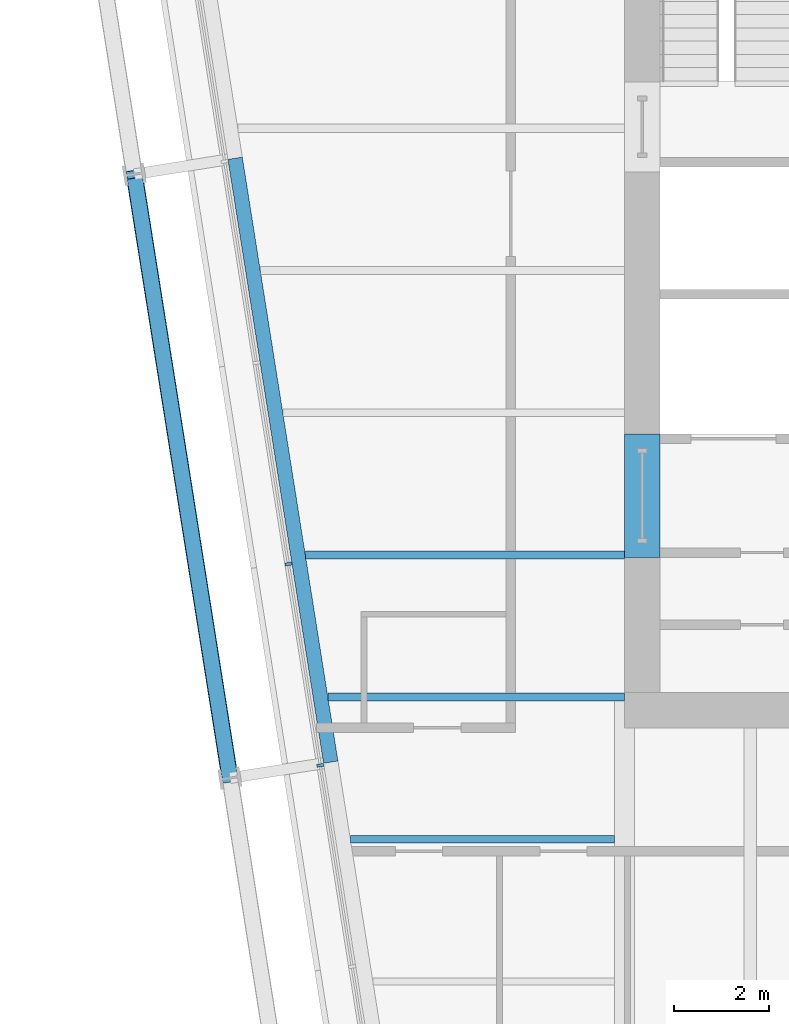
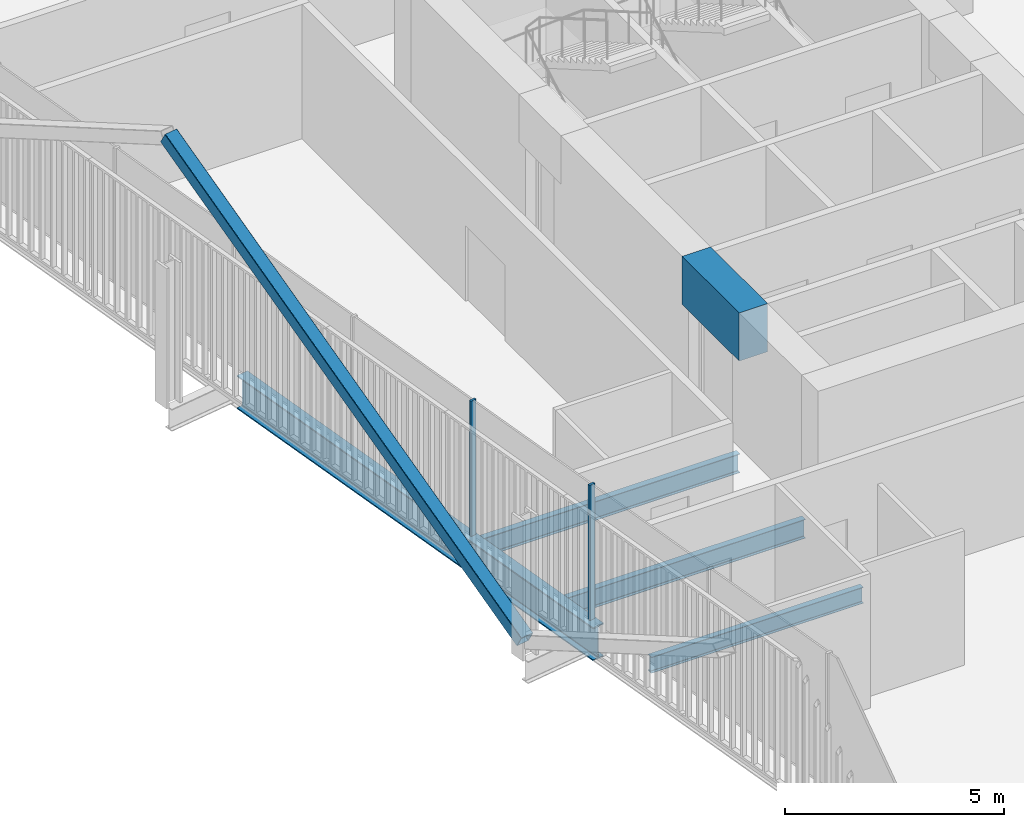
# One storey, part 4 of 22: 5 beams, 3 members, 1 element without a shape of its own.
"""IFC4 building model written with IfcOpenShell, lengths in metres."""

from ifc_helpers import new_model, si_unit, direction, frame, origin, origin_2d, place, context, subcontext, project, spatial, rectangle, hollow_rectangle, i_section, extrude, material, layer, layer_set, material_profile, profile_set, type_object, element, aggregate, save


model = new_model("IFC4")

# Units and contexts
model_context = context("Model", 3, precision=1e-05, world=origin(), true_north=direction((0.0, 1.0)))
body_context = subcontext(model_context, "Body", "Model", "MODEL_VIEW")
ifc_project = project(units=[si_unit("LENGTHUNIT", "METRE"), si_unit("AREAUNIT", "SQUARE_METRE"), si_unit("VOLUMEUNIT", "CUBIC_METRE"), si_unit("PLANEANGLEUNIT", "RADIAN"), si_unit("MASSUNIT", "GRAM", prefix="KILO")], contexts=[model_context])

# Site, building, storey
site_placement = place(None, origin())
site = spatial("IfcSite", under=ifc_project, at=site_placement, CompositionType="ELEMENT")
building_placement = place(site_placement, origin())
building = spatial("IfcBuilding", under=site, at=building_placement, Name="Millrace Tower", CompositionType="ELEMENT")
storey_placement = place(building_placement, frame((0.0, 0.0, 152.89990234375)))
storey = spatial("IfcBuildingStorey", under=building, at=storey_placement, Name="L34", CompositionType="ELEMENT", Elevation=152.89990234375)

# Curtain wall, members
ifc_material_1 = material(Name="Aluminium and glass", Category="aluminium")
ifc_layer = layer(ifc_material_1, 0.14990234375)
ifc_layer_set = layer_set([ifc_layer], Name="Aluminium and glass")
curtain_wall_type = type_object("IfcCurtainWallType", Name="CW-1 office vision curtain wall", PredefinedType="NOTDEFINED", material=ifc_layer_set)
curtain_wall_placement = place(storey_placement, origin())
curtain_wall = element("IfcCurtainWall", 1, at=curtain_wall_placement, inside=storey, type_object=curtain_wall_type, Name="Curtain wall C-F08 L34", PredefinedType="NOTDEFINED")
ifc_material_2 = material(Name="Aluminium", Category="aluminium")
ifc_material_profile_1 = material_profile(ifc_material_2, rectangle(XDim=0.06494140625, YDim=0.14990234375, at=origin_2d()))
ifc_profile_set_1 = profile_set([ifc_material_profile_1], Name="Aluminium")
member_type_1 = type_object("IfcMemberType", Name="CW-1 office vision curtain wall mullion", PredefinedType="MULLION", material=ifc_profile_set_1)
member_1_placement = place(storey_placement, frame((-21.743408203125, -6.193603515625, 0.14013671875), z_axis=(0.0, 0.0, 1.0), x_axis=(0.15643447328, -0.98768833929, 0.0)))
member_1 = element("IfcMember", 2, at=member_1_placement, type_object=member_type_1, Name="CW1 mullion C-F08.6", PredefinedType="MULLION", context=body_context, shape_type="SweptSolid", body=[
    extrude(rectangle(XDim=0.06494140625, YDim=0.14990234375, at=origin_2d()), origin(), (0.0, 0.0, 1.0), 3.760009765625),
])
member_2_placement = place(storey_placement, frame((-21.070556640625, -10.440673828125, 0.14013671875), z_axis=(0.0, 0.0, 1.0), x_axis=(0.15643447328, -0.98768833929, 0.0)))
member_2 = element("IfcMember", 3, at=member_2_placement, type_object=member_type_1, Name="CW1 mullion C-F08.7", PredefinedType="MULLION", context=body_context, shape_type="SweptSolid", body=[
    extrude(rectangle(XDim=0.06494140625, YDim=0.14990234375, at=origin_2d()), origin(), (0.0, 0.0, 1.0), 3.760009765625),
])
aggregate(curtain_wall, [member_1, member_2])

# Beam
ifc_material_3 = material(Name="Concrete C70", Category="concrete")
ifc_material_profile_2 = material_profile(ifc_material_3, rectangle(XDim=0.75, YDim=1.340087890625, at=origin_2d()))
ifc_profile_set_2 = profile_set([ifc_material_profile_2], Name="Concrete C70")
beam_type_1 = type_object("IfcBeamType", Name="Coupling beam 750 x 1340 Concrete C70, 2000 opening", PredefinedType="BEAM", material=ifc_profile_set_2)
beam_1_placement = place(storey_placement, frame((-14.27490234375, -6.050048828125, 3.070068359375), z_axis=(0.0, 1.0, 0.0), x_axis=(-1.0, 0.0, 0.0)))
element("IfcBeam", 4, at=beam_1_placement, inside=storey, type_object=beam_type_1, Name="Coupling beam W L34", PredefinedType="BEAM", context=body_context, shape_type="SweptSolid", body=[
    extrude(rectangle(XDim=0.75, YDim=1.340087890625, at=origin_2d()), origin(), (0.0, 0.0, 1.0), 2.60009765625),
])

# Member
ifc_material_4 = material(Name="Steel ASTM A500 Grade C", Category="steel")
ifc_material_profile_3 = material_profile(ifc_material_4, hollow_rectangle(XDim=0.355712890625, YDim=0.355712890625, WallThickness=0.015869140625, InnerFilletRadius=0.008056640625, OuterFilletRadius=0.02392578125, at=origin_2d()))
ifc_profile_set_3 = profile_set([ifc_material_profile_3], Name="Steel ASTM A500 Grade C")
member_type_2 = type_object("IfcMemberType", Name="Exoskeleton brace HSS14x14x5/8", PredefinedType="BRACE", material=ifc_profile_set_3)
member_3_placement = place(storey_placement, frame((-22.97705078125, -10.709716796875, 0.400146484375), z_axis=(-0.137499609887, 0.868113917345, 0.476940335673), x_axis=(-0.987687659758, -0.156438763615, 0.0)))
element("IfcMember", 5, at=member_3_placement, inside=storey, type_object=member_type_2, Name="BRC-C-L34-15", PredefinedType="BRACE", context=body_context, shape_type="SweptSolid", body=[
    extrude(hollow_rectangle(XDim=0.355712890625, YDim=0.355712890625, WallThickness=0.015869140625, InnerFilletRadius=0.008056640625, OuterFilletRadius=0.02392578125, at=origin_2d()), origin(), (0.0, 0.0, 1.0), 14.677001953125),
])

# Beams
ifc_material_5 = material(Name="Steel ASTM A992 Grade 50", Category="steel")
ifc_material_profile_4 = material_profile(ifc_material_5, i_section(OverallWidth=0.15234375, OverallDepth=0.449462890625, WebThickness=0.007568359375, FlangeThickness=0.0107421875, FilletRadius=0.01025390625, at=origin_2d()))
ifc_profile_set_4 = profile_set([ifc_material_profile_4], Name="Steel ASTM A992 Grade 50")
beam_type_2 = type_object("IfcBeamType", Name="Floor beam W18x35", PredefinedType="JOIST", material=ifc_profile_set_4)
beam_2_placement = place(storey_placement, frame((-20.4365234375, -12.0, -0.384765625), z_axis=(1.0, 0.0, 0.0), x_axis=(0.0, 1.0, 0.0)))
element("IfcBeam", 6, at=beam_2_placement, inside=storey, type_object=beam_type_2, Name="BM-C-L34-S1-S008", PredefinedType="JOIST", context=body_context, shape_type="SweptSolid", body=[
    extrude(i_section(OverallWidth=0.15234375, OverallDepth=0.449462890625, WebThickness=0.007568359375, FlangeThickness=0.0107421875, FilletRadius=0.01025390625, at=origin_2d()), origin(), (0.0, 0.0, 1.0), 5.576904296875),
])
ifc_material_6 = material(Name="Steel ASTM A992 Grade 50", Category="steel")
ifc_material_profile_5 = material_profile(ifc_material_6, i_section(OverallWidth=0.1650390625, OverallDepth=0.52587890625, WebThickness=0.0087890625, FlangeThickness=0.011474609375, FilletRadius=0.0126953125, at=origin_2d()))
ifc_profile_set_5 = profile_set([ifc_material_profile_5], Name="Steel ASTM A992 Grade 50")
beam_type_3 = type_object("IfcBeamType", Name="Floor beam W21x44", PredefinedType="JOIST", material=ifc_profile_set_5)
beam_3_placement = place(storey_placement, frame((-20.91162109375, -9.0, -0.4228515625), z_axis=(1.0, 0.0, 0.0), x_axis=(0.0, 1.0, 0.0)))
element("IfcBeam", 7, at=beam_3_placement, inside=storey, type_object=beam_type_3, Name="BM-C-L34-S1-S011", PredefinedType="JOIST", context=body_context, shape_type="SweptSolid", body=[
    extrude(i_section(OverallWidth=0.1650390625, OverallDepth=0.52587890625, WebThickness=0.0087890625, FlangeThickness=0.011474609375, FilletRadius=0.0126953125, at=origin_2d()), origin(), (0.0, 0.0, 1.0), 6.26171875),
])
beam_4_placement = place(storey_placement, frame((-21.386962890625, -6.0, -0.4228515625), z_axis=(1.0, 0.0, 0.0), x_axis=(0.0, 1.0, 0.0)))
element("IfcBeam", 8, at=beam_4_placement, inside=storey, type_object=beam_type_3, Name="BM-C-L34-S1-S014", PredefinedType="JOIST", context=body_context, shape_type="SweptSolid", body=[
    extrude(i_section(OverallWidth=0.1650390625, OverallDepth=0.52587890625, WebThickness=0.0087890625, FlangeThickness=0.011474609375, FilletRadius=0.0126953125, at=origin_2d()), origin(), (0.0, 0.0, 1.0), 6.737060546875),
])
ifc_material_7 = material(Name="Steel ASTM A992 Grade 50", Category="steel")
ifc_material_profile_6 = material_profile(ifc_material_7, i_section(OverallWidth=0.307373046875, OverallDepth=0.927001953125, WebThickness=0.01953125, FlangeThickness=0.031982421875, FilletRadius=0.01904296875, at=origin_2d()))
ifc_profile_set_6 = profile_set([ifc_material_profile_6], Name="Steel ASTM A992 Grade 50")
beam_type_4 = type_object("IfcBeamType", Name="Ring beam medium span W36x194", PredefinedType="SPANDREL", material=ifc_profile_set_6)
beam_5_placement = place(storey_placement, frame((-20.849853515625, -10.372802734375, -0.62353515625), z_axis=(-0.156438763615, 0.987687659758, 0.0), x_axis=(-0.987687659758, -0.156438763615, 0.0)))
element("IfcBeam", 9, at=beam_5_placement, inside=storey, type_object=beam_type_4, Name="RNG-C-L34-S1-02", PredefinedType="SPANDREL", context=body_context, shape_type="SweptSolid", body=[
    extrude(i_section(OverallWidth=0.307373046875, OverallDepth=0.927001953125, WebThickness=0.01953125, FlangeThickness=0.031982421875, FilletRadius=0.01904296875, at=origin_2d()), origin(), (0.0, 0.0, 1.0), 12.900146484375),
])

save(model, "model.ifc")
